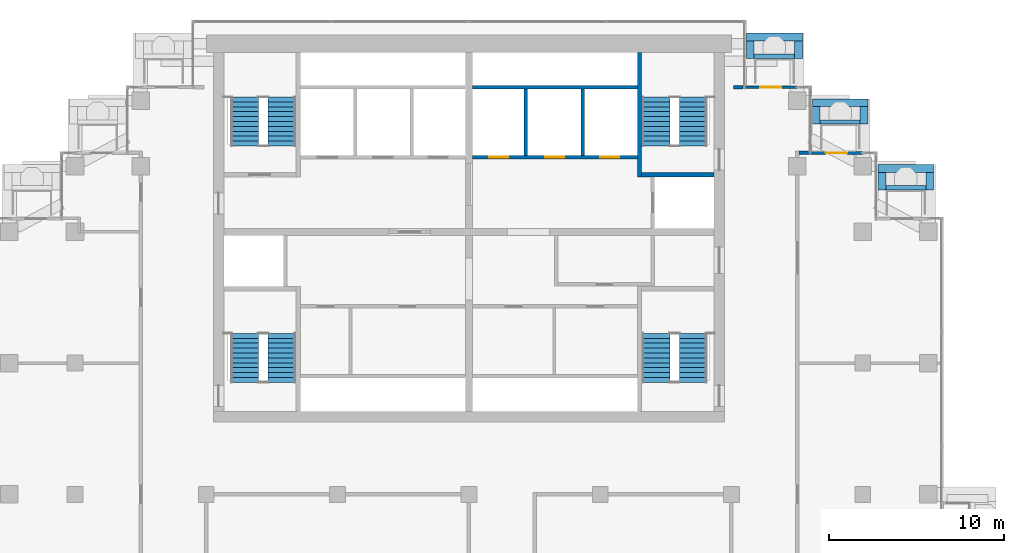
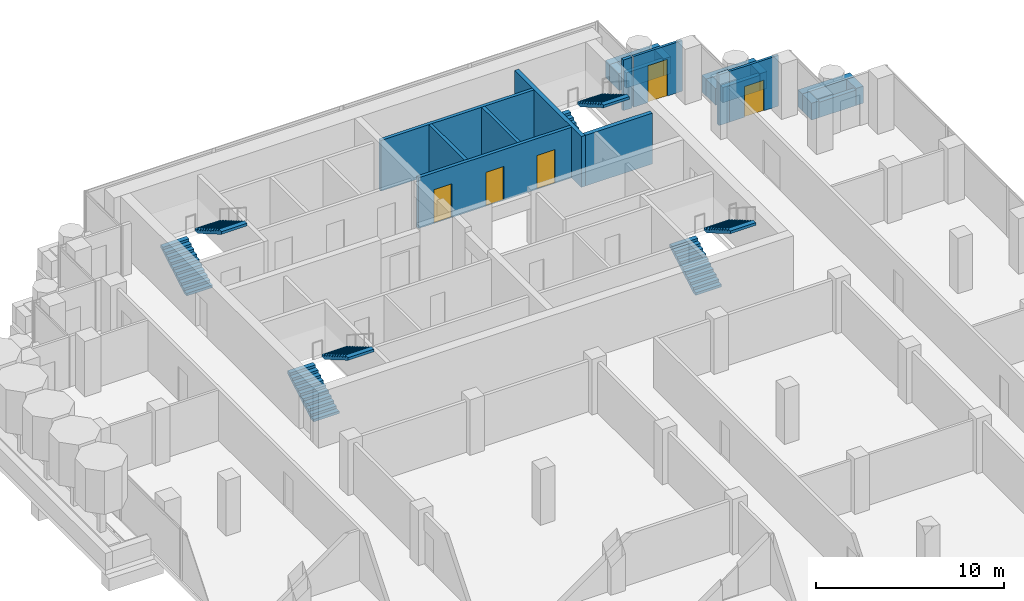
# One storey, part 14 of 17: 22 walls, 8 stair flights, 5 doors, 5 openings, 4 elements without a shape of their own.
"""IFC4 building model written with IfcOpenShell, lengths in metres."""

from ifc_helpers import new_model, si_unit, direction, frame, frame_2d, origin, place, context, subcontext, project, spatial, polyline, rectangle, outline, extrude, material, layer, layer_set, type_object, element, fill, aggregate, save


model = new_model("IFC4")

# Units and contexts
model_context = context("Model", 3, precision=1e-05, world=origin(), true_north=direction((0.0, 1.0)))
body_context = subcontext(model_context, "Body", "Model", "MODEL_VIEW")
ifc_project = project(units=[si_unit("LENGTHUNIT", "METRE"), si_unit("AREAUNIT", "SQUARE_METRE"), si_unit("VOLUMEUNIT", "CUBIC_METRE"), si_unit("PLANEANGLEUNIT", "RADIAN"), si_unit("MASSUNIT", "GRAM", prefix="KILO")], contexts=[model_context])

# Site, building, storey
site_placement = place(None, origin())
site = spatial("IfcSite", under=ifc_project, at=site_placement, CompositionType="ELEMENT")
building_placement = place(site_placement, origin())
building = spatial("IfcBuilding", under=site, at=building_placement, Name="Pilkhan Gate Tower", CompositionType="ELEMENT")
storey_placement = place(building_placement, frame((0.0, 0.0, 206.699951171875)))
storey = spatial("IfcBuildingStorey", under=building, at=storey_placement, Name="L53", CompositionType="ELEMENT", Elevation=206.699951171875)

# Walls
ifc_material_1 = material(Name="Concrete C40/50", Category="concrete")
ifc_layer_1 = layer(ifc_material_1, 0.25)
ifc_layer_set_1 = layer_set([ifc_layer_1], Name="Balcony planter BP250")
wall_type_1 = type_object("IfcWallType", Name="Balcony planter BP250", PredefinedType="USERDEFINED", material=ifc_layer_set_1)
wall_1_placement = place(storey_placement, frame((91.300048828125, 92.52490234375, 0.0), z_axis=(0.0, 0.0, 1.0), x_axis=(1.0, 0.0, 0.0)))
element("IfcWall", 1, at=wall_1_placement, inside=storey, type_object=wall_type_1, Name="Balcony planter L53 N", ObjectType="BALCONY PLANTER", PredefinedType="USERDEFINED", context=body_context, shape_type="SweptSolid", body=[
    extrude(rectangle(XDim=2.300048828125, YDim=0.25, at=frame_2d((1.14990234375, 0.0))), origin(), (0.0, 0.0, 1.0), 1.0),
])
for number, where, z_axis, x_axis, name in (
    (2, (95.070068359375, 88.77490234375, 0.0), (0.0, 0.0, 1.0), (1.0, 0.0, 0.0), "Balcony planter L53 N"),
    (3, (98.820068359375, 85.02490234375, 0.0), (0.0, 0.0, 1.0), (1.0, 0.0, 0.0), "Balcony planter L53 N"),
):
    element("IfcWall", number, at=place(storey_placement, frame(where, z_axis=z_axis, x_axis=x_axis)), inside=storey, type_object=wall_type_1, Name=name, ObjectType="BALCONY PLANTER", PredefinedType="USERDEFINED", context=body_context, shape_type="SweptSolid", body=[
        extrude(rectangle(XDim=2.280029296875, YDim=0.25, at=frame_2d((1.14013671875, 0.0))), origin(), (0.0, 0.0, 1.0), 1.0),
    ])
ifc_material_2 = material(Name="Board-marked Concrete C40/50", Category="concrete")
ifc_layer_2 = layer(ifc_material_2, 0.449951171875)
ifc_layer_set_2 = layer_set([ifc_layer_2], Name="Balcony planter lip BL450")
wall_type_2 = type_object("IfcWallType", Name="Balcony planter lip BL450", PredefinedType="USERDEFINED", material=ifc_layer_set_2)
wall_2_placement = place(storey_placement, frame((90.85009765625, 93.625, 0.0), z_axis=(0.0, 0.0, 1.0), x_axis=(1.0, 0.0, 0.0)))
element("IfcWall", 4, at=wall_2_placement, inside=storey, type_object=wall_type_2, Name="Balcony planter L53 N", ObjectType="BALCONY PLANTER", PredefinedType="USERDEFINED", context=body_context, shape_type="SweptSolid", body=[
    extrude(rectangle(XDim=3.199951171875, YDim=0.449951171875, at=frame_2d((1.60009765625, 0.0))), origin(), (0.0, 0.0, 1.0), 1.10009765625),
])
for number, where, z_axis, x_axis, name in (
    (5, (91.074951171875, 92.39990234375, 0.0), (0.0, 0.0, 1.0), (0.0, 1.0, 0.0), "Balcony planter L53 N"),
    (6, (93.824951171875, 92.39990234375, 0.0), (0.0, 0.0, 1.0), (0.0, 1.0, 0.0), "Balcony planter L53 N"),
):
    element("IfcWall", number, at=place(storey_placement, frame(where, z_axis=z_axis, x_axis=x_axis)), inside=storey, type_object=wall_type_2, Name=name, ObjectType="BALCONY PLANTER", PredefinedType="USERDEFINED", context=body_context, shape_type="SweptSolid", body=[
        extrude(rectangle(XDim=1.0, YDim=0.449951171875, at=frame_2d((0.5, 0.0))), origin(), (0.0, 0.0, 1.0), 1.10009765625),
    ])
wall_3_placement = place(storey_placement, frame((94.6201171875, 89.875, 0.0), z_axis=(0.0, 0.0, 1.0), x_axis=(1.0, 0.0, 0.0)))
element("IfcWall", 7, at=wall_3_placement, inside=storey, type_object=wall_type_2, Name="Balcony planter L53 N", ObjectType="BALCONY PLANTER", PredefinedType="USERDEFINED", context=body_context, shape_type="SweptSolid", body=[
    extrude(rectangle(XDim=3.179931640625, YDim=0.449951171875, at=frame_2d((1.58984375, 0.0))), origin(), (0.0, 0.0, 1.0), 1.10009765625),
])
for number, where, z_axis, x_axis, name in (
    (8, (94.844970703125, 88.64990234375, 0.0), (0.0, 0.0, 1.0), (0.0, 1.0, 0.0), "Balcony planter L53 N"),
    (9, (97.574951171875, 88.64990234375, 0.0), (0.0, 0.0, 1.0), (0.0, 1.0, 0.0), "Balcony planter L53 N"),
):
    element("IfcWall", number, at=place(storey_placement, frame(where, z_axis=z_axis, x_axis=x_axis)), inside=storey, type_object=wall_type_2, Name=name, ObjectType="BALCONY PLANTER", PredefinedType="USERDEFINED", context=body_context, shape_type="SweptSolid", body=[
        extrude(rectangle(XDim=1.0, YDim=0.449951171875, at=frame_2d((0.5, 0.0))), origin(), (0.0, 0.0, 1.0), 1.10009765625),
    ])
wall_4_placement = place(storey_placement, frame((98.3701171875, 86.125, 0.0), z_axis=(0.0, 0.0, 1.0), x_axis=(1.0, 0.0, 0.0)))
element("IfcWall", 10, at=wall_4_placement, inside=storey, type_object=wall_type_2, Name="Balcony planter L53 N", ObjectType="BALCONY PLANTER", PredefinedType="USERDEFINED", context=body_context, shape_type="SweptSolid", body=[
    extrude(rectangle(XDim=3.179931640625, YDim=0.449951171875, at=frame_2d((1.58984375, 0.0))), origin(), (0.0, 0.0, 1.0), 1.10009765625),
])
for number, where, z_axis, x_axis, name in (
    (11, (98.594970703125, 84.89990234375, 0.0), (0.0, 0.0, 1.0), (0.0, 1.0, 0.0), "Balcony planter L53 N"),
    (12, (101.324951171875, 84.89990234375, 0.0), (0.0, 0.0, 1.0), (0.0, 1.0, 0.0), "Balcony planter L53 N"),
):
    element("IfcWall", number, at=place(storey_placement, frame(where, z_axis=z_axis, x_axis=x_axis)), inside=storey, type_object=wall_type_2, Name=name, ObjectType="BALCONY PLANTER", PredefinedType="USERDEFINED", context=body_context, shape_type="SweptSolid", body=[
        extrude(rectangle(XDim=1.0, YDim=0.449951171875, at=frame_2d((0.5, 0.0))), origin(), (0.0, 0.0, 1.0), 1.10009765625),
    ])
ifc_material_3 = material(Name="Dense blockwork", Category="masonry")
ifc_layer_3 = layer(ifc_material_3, 0.199951171875)
ifc_layer_set_3 = layer_set([ifc_layer_3], Name="Corridor wall FW200")
wall_type_3 = type_object("IfcWallType", Name="Corridor wall FW200", PredefinedType="PARTITIONING", material=ifc_layer_set_3)
wall_5_placement = place(storey_placement, frame((93.85009765625, 87.030029296875, 0.0), z_axis=(0.0, 0.0, 1.0), x_axis=(1.0, 0.0, 0.0)))
element("IfcWall", 13, at=wall_5_placement, inside=storey, type_object=wall_type_3, Name="Partition L53", PredefinedType="PARTITIONING", context=body_context, shape_type="SweptSolid", body=[
    extrude(rectangle(XDim=0.639892578125, YDim=0.199951171875, at=frame_2d((0.31982421875, 0.0))), origin(), (0.0, 0.0, 1.0), 3.300048828125),
])
wall_6_placement = place(storey_placement, frame((90.1201171875, 90.764892578125, 0.0), z_axis=(0.0, 0.0, 1.0), x_axis=(1.0, 0.0, 0.0)))
element("IfcWall", 14, at=wall_6_placement, inside=storey, type_object=wall_type_3, Name="Partition L53", PredefinedType="PARTITIONING", context=body_context, shape_type="SweptSolid", body=[
    extrude(rectangle(XDim=0.52490234375, YDim=0.199951171875, at=frame_2d((0.262451171875, 0.0))), origin(), (0.0, 0.0, 1.0), 3.300048828125),
])

# Wall, opening, door
ifc_material_4 = material(Name="Pale anodised aluminium, clear laminated glazing", Category="aluminium")
ifc_layer_4 = layer(ifc_material_4, 0.14990234375)
ifc_layer_set_4 = layer_set([ifc_layer_4], Name="Facade infill wall IW150")
wall_type_4 = type_object("IfcWallType", Name="Facade infill wall IW150", PredefinedType="SOLIDWALL", material=ifc_layer_set_4)
wall_7_placement = place(storey_placement, frame((94.5, 87.0, 0.0), z_axis=(0.0, 0.0, 1.0), x_axis=(1.0, 0.0, 0.0)))
wall_7 = element("IfcWall", 15, at=wall_7_placement, inside=storey, type_object=wall_type_4, Name="Infill wall L53 N", PredefinedType="SOLIDWALL", context=body_context, shape_type="SweptSolid", body=[
    extrude(rectangle(XDim=3.0, YDim=0.14990234375, at=frame_2d((1.5, 0.0))), origin(), (0.0, 0.0, 1.0), 3.300048828125),
])
opening_1_placement = place(wall_7_placement, frame((0.89990234375, 0.0, 0.0)))
opening_1 = element("IfcOpeningElement", 16, at=opening_1_placement, cuts=wall_7, Name="Opening D1L", PredefinedType="OPENING", context=body_context, shape_type="SweptSolid", body=[
    extrude(rectangle(XDim=1.199951171875, YDim=2.0, at=frame_2d((0.60009765625, 1.0))), frame((0.0, 0.0849609375, 0.0), z_axis=(0.0, -1.0, 0.0), x_axis=(1.0, 0.0, 0.0)), (0.0, 0.0, 1.0), 0.169921875),
])
ifc_material_5 = material(Name="Pale anodised aluminium, clear glazing", Category="aluminium")
door_type_1 = type_object("IfcDoorType", Name="Balcony door D1L 1200x2000", OperationType="SINGLE_SWING_LEFT", PredefinedType="DOOR", material=ifc_material_5)
door_1_placement = place(opening_1_placement, origin())
door_1 = element("IfcDoor", 17, at=door_1_placement, inside=storey, type_object=door_type_1, Name="Balcony door L53", OperationType="SINGLE_SWING_LEFT", OverallHeight=2.0, OverallWidth=1.199951171875, PredefinedType="DOOR", context=body_context, shape_type="SweptSolid", body=[
    extrude(rectangle(XDim=1.199951171875, YDim=2.0, at=frame_2d((0.60009765625, 1.0))), frame((0.0, 0.02490234375, 0.0), z_axis=(0.0, -1.0, 0.0), x_axis=(1.0, 0.0, 0.0)), (0.0, 0.0, 1.0), 0.050048828125),
])
fill(opening_1, door_1)

wall_8_placement = place(storey_placement, frame((90.75, 90.75, 0.0), z_axis=(0.0, 0.0, 1.0), x_axis=(1.0, 0.0, 0.0)))
wall_8 = element("IfcWall", 18, at=wall_8_placement, inside=storey, type_object=wall_type_4, Name="Infill wall L53 N", PredefinedType="SOLIDWALL", context=body_context, shape_type="SweptSolid", body=[
    extrude(rectangle(XDim=3.0, YDim=0.14990234375, at=frame_2d((1.5, 0.0))), origin(), (0.0, 0.0, 1.0), 3.300048828125),
])
opening_2_placement = place(wall_8_placement, frame((0.89990234375, 0.0, 0.0)))
opening_2 = element("IfcOpeningElement", 19, at=opening_2_placement, cuts=wall_8, Name="Opening D1", PredefinedType="OPENING", context=body_context, shape_type="SweptSolid", body=[
    extrude(rectangle(XDim=1.199951171875, YDim=2.39990234375, at=frame_2d((0.60009765625, 1.199951171875))), frame((0.0, 0.0849609375, 0.0), z_axis=(0.0, -1.0, 0.0), x_axis=(1.0, 0.0, 0.0)), (0.0, 0.0, 1.0), 0.169921875),
])
door_type_2 = type_object("IfcDoorType", Name="Balcony door D1 1200x2400", OperationType="SINGLE_SWING_LEFT", PredefinedType="DOOR", material=ifc_material_5)
door_2_placement = place(opening_2_placement, origin())
door_2 = element("IfcDoor", 20, at=door_2_placement, inside=storey, type_object=door_type_2, Name="Balcony door L53", OperationType="SINGLE_SWING_LEFT", OverallHeight=2.39990234375, OverallWidth=1.199951171875, PredefinedType="DOOR", context=body_context, shape_type="SweptSolid", body=[
    extrude(rectangle(XDim=1.199951171875, YDim=2.39990234375, at=frame_2d((0.60009765625, 1.199951171875))), frame((0.0, 0.02490234375, 0.0), z_axis=(0.0, -1.0, 0.0), x_axis=(1.0, 0.0, 0.0)), (0.0, 0.0, 1.0), 0.050048828125),
])
fill(opening_2, door_2)

# Wall, openings, doors
ifc_material_6 = material(Name="Reinforced blockwork shaft wall, 120 minute fire resisting", Category="masonry")
ifc_layer_5 = layer(ifc_material_6, 0.199951171875)
ifc_layer_set_5 = layer_set([ifc_layer_5], Name="Shaft wall SW200")
wall_type_5 = type_object("IfcWallType", Name="Shaft wall SW200", PredefinedType="PARTITIONING", material=ifc_layer_set_5)
wall_9_placement = place(storey_placement, frame((75.2099609375, 86.75, 0.0), z_axis=(0.0, 0.0, 1.0), x_axis=(1.0, 0.0, 0.0)))
wall_9 = element("IfcWall", 21, at=wall_9_placement, inside=storey, type_object=wall_type_5, Name="Partition L53", PredefinedType="PARTITIONING", context=body_context, shape_type="SweptSolid", body=[
    extrude(rectangle(XDim=9.4150390625, YDim=0.199951171875, at=frame_2d((4.70751953125, 0.0))), origin(), (0.0, 0.0, 1.0), 3.300048828125),
])
opening_3_placement = place(wall_9_placement, frame((0.949951171875, 0.0, 0.0)))
opening_3 = element("IfcOpeningElement", 22, at=opening_3_placement, cuts=wall_9, Name="Opening LD", PredefinedType="OPENING", context=body_context, shape_type="SweptSolid", body=[
    extrude(rectangle(XDim=1.10009765625, YDim=2.199951171875, at=frame_2d((0.550048828125, 1.10009765625))), frame((0.0, 0.10986328125, 0.0), z_axis=(0.0, -1.0, 0.0), x_axis=(1.0, 0.0, 0.0)), (0.0, 0.0, 1.0), 0.219970703125),
])
opening_4_placement = place(wall_9_placement, frame((4.139892578125, 0.0, 0.0)))
opening_4 = element("IfcOpeningElement", 23, at=opening_4_placement, cuts=wall_9, Name="Opening LD", PredefinedType="OPENING", context=body_context, shape_type="SweptSolid", body=[
    extrude(rectangle(XDim=1.10009765625, YDim=2.199951171875, at=frame_2d((0.550048828125, 1.10009765625))), frame((0.0, 0.10986328125, 0.0), z_axis=(0.0, -1.0, 0.0), x_axis=(1.0, 0.0, 0.0)), (0.0, 0.0, 1.0), 0.219970703125),
])
opening_5_placement = place(wall_9_placement, frame((7.2900390625, 0.0, 0.0)))
opening_5 = element("IfcOpeningElement", 24, at=opening_5_placement, cuts=wall_9, Name="Opening LD", PredefinedType="OPENING", context=body_context, shape_type="SweptSolid", body=[
    extrude(rectangle(XDim=1.10009765625, YDim=2.199951171875, at=frame_2d((0.550048828125, 1.10009765625))), frame((0.0, 0.10986328125, 0.0), z_axis=(0.0, -1.0, 0.0), x_axis=(1.0, 0.0, 0.0)), (0.0, 0.0, 1.0), 0.219970703125),
])
ifc_material_7 = material(Name="Stainless steel centre-opening landing door, 120 minute fire resisting", Category="steel")
door_type_3 = type_object("IfcDoorType", Name="Lift landing door LD 1100x2200", OperationType="DOUBLE_DOOR_SLIDING", PredefinedType="DOOR", material=ifc_material_7)
door_3_placement = place(opening_3_placement, origin())
door_3 = element("IfcDoor", 25, at=door_3_placement, inside=storey, type_object=door_type_3, Name="Landing door HR1", OperationType="DOUBLE_DOOR_SLIDING", OverallHeight=2.199951171875, OverallWidth=1.10009765625, PredefinedType="DOOR", context=body_context, shape_type="SweptSolid", body=[
    extrude(rectangle(XDim=1.10009765625, YDim=2.199951171875, at=frame_2d((0.550048828125, 1.10009765625))), frame((0.0, 0.02490234375, 0.0), z_axis=(0.0, -1.0, 0.0), x_axis=(1.0, 0.0, 0.0)), (0.0, 0.0, 1.0), 0.050048828125),
])
fill(opening_3, door_3)
door_4_placement = place(opening_4_placement, origin())
door_4 = element("IfcDoor", 26, at=door_4_placement, inside=storey, type_object=door_type_3, Name="Landing door HR2", OperationType="DOUBLE_DOOR_SLIDING", OverallHeight=2.199951171875, OverallWidth=1.10009765625, PredefinedType="DOOR", context=body_context, shape_type="SweptSolid", body=[
    extrude(rectangle(XDim=1.10009765625, YDim=2.199951171875, at=frame_2d((0.550048828125, 1.10009765625))), frame((0.0, 0.02490234375, 0.0), z_axis=(0.0, -1.0, 0.0), x_axis=(1.0, 0.0, 0.0)), (0.0, 0.0, 1.0), 0.050048828125),
])
fill(opening_4, door_4)
door_5_placement = place(opening_5_placement, origin())
door_5 = element("IfcDoor", 27, at=door_5_placement, inside=storey, type_object=door_type_3, Name="Landing door HR3", OperationType="DOUBLE_DOOR_SLIDING", OverallHeight=2.199951171875, OverallWidth=1.10009765625, PredefinedType="DOOR", context=body_context, shape_type="SweptSolid", body=[
    extrude(rectangle(XDim=1.10009765625, YDim=2.199951171875, at=frame_2d((0.550048828125, 1.10009765625))), frame((0.0, 0.02490234375, 0.0), z_axis=(0.0, -1.0, 0.0), x_axis=(1.0, 0.0, 0.0)), (0.0, 0.0, 1.0), 0.050048828125),
])
fill(opening_5, door_5)

# Walls
wall_10_placement = place(storey_placement, frame((75.2099609375, 90.75, 0.0), z_axis=(0.0, 0.0, 1.0), x_axis=(1.0, 0.0, 0.0)))
element("IfcWall", 28, at=wall_10_placement, inside=storey, type_object=wall_type_5, Name="Partition L53", PredefinedType="PARTITIONING", context=body_context, shape_type="SweptSolid", body=[
    extrude(rectangle(XDim=9.4150390625, YDim=0.199951171875, at=frame_2d((4.70751953125, 0.0))), origin(), (0.0, 0.0, 1.0), 3.300048828125),
])
for number, where, z_axis, x_axis, name in (
    (29, (78.25, 86.85009765625, 0.0), (0.0, 0.0, 1.0), (0.0, 1.0, 0.0), "Partition L53"),
    (30, (81.5, 86.85009765625, 0.0), (0.0, 0.0, 1.0), (0.0, 1.0, 0.0), "Partition L53"),
):
    element("IfcWall", number, at=place(storey_placement, frame(where, z_axis=z_axis, x_axis=x_axis)), inside=storey, type_object=wall_type_5, Name=name, PredefinedType="PARTITIONING", context=body_context, shape_type="SweptSolid", body=[
        extrude(rectangle(XDim=3.7998046875, YDim=0.199951171875, at=frame_2d((1.89990234375, 0.0))), origin(), (0.0, 0.0, 1.0), 3.300048828125),
    ])
ifc_material_8 = material(Name="Reinforced blockwork, 120 minute fire resisting", Category="masonry")
ifc_layer_6 = layer(ifc_material_8, 0.25)
ifc_layer_set_6 = layer_set([ifc_layer_6], Name="Stair enclosure wall SE250")
wall_type_6 = type_object("IfcWallType", Name="Stair enclosure wall SE250", PredefinedType="PARTITIONING", material=ifc_layer_set_6)
wall_11_placement = place(storey_placement, frame((84.875, 85.75, 0.0), z_axis=(0.0, 0.0, 1.0), x_axis=(1.0, 0.0, 0.0)))
element("IfcWall", 31, at=wall_11_placement, inside=storey, type_object=wall_type_6, Name="Partition L53", PredefinedType="PARTITIONING", context=body_context, shape_type="SweptSolid", body=[
    extrude(rectangle(XDim=4.114990234375, YDim=0.25, at=frame_2d((2.0576171875, 0.0))), origin(), (0.0, 0.0, 1.0), 3.300048828125),
])
wall_12_placement = place(storey_placement, frame((84.75, 85.625, 0.0), z_axis=(0.0, 0.0, 1.0), x_axis=(0.0, 1.0, 0.0)))
element("IfcWall", 32, at=wall_12_placement, inside=storey, type_object=wall_type_6, Name="Partition L53", PredefinedType="PARTITIONING", context=body_context, shape_type="SweptSolid", body=[
    extrude(rectangle(XDim=7.114990234375, YDim=0.25, at=frame_2d((3.5576171875, 0.0))), origin(), (0.0, 0.0, 1.0), 3.300048828125),
])

# Stair, stair flights
ifc_material_9 = material(Name="Concrete C40/50 precast", Category="concrete")
stair_type_1 = type_object("IfcStairType", Name="Stair ST1 164x280", PredefinedType="HALF_TURN_STAIR", material=ifc_material_9)
stair_1_placement = place(storey_placement, origin())
stair_1 = element("IfcStair", 33, at=stair_1_placement, inside=storey, type_object=stair_type_1, Name="Stair ST1 L53", PredefinedType="HALF_TURN_STAIR")
stair_flight_type_1 = type_object("IfcStairFlightType", Name="Stair flight ST1 164x280x11", PredefinedType="STRAIGHT", material=ifc_material_9)
stair_flight_1_placement = place(storey_placement, frame((85.68994140625, 73.89990234375, 0.0), z_axis=(0.0, 0.0, 1.0), x_axis=(0.0, 1.0, 0.0)))
stair_flight_1 = element("IfcStairFlight", 34, at=stair_flight_1_placement, type_object=stair_flight_type_1, Name="ST1 flight 1", NumberOfRisers=11, NumberOfTreads=10, PredefinedType="STRAIGHT", RiserHeight=0.163636364, TreadLength=0.28, context=body_context, shape_type="SweptSolid", body=[
    extrude(outline(polyline([(0.0, 0.0), (0.0, 0.16357421875), (0.280029296875, 0.16357421875), (0.280029296875, 0.327392578125), (0.56005859375, 0.327392578125), (0.56005859375, 0.490966796875), (0.840087890625, 0.490966796875), (0.840087890625, 0.654541015625), (1.1201171875, 0.654541015625), (1.1201171875, 0.818115234375), (1.39990234375, 0.818115234375), (1.39990234375, 0.98193359375), (1.679931640625, 0.98193359375), (1.679931640625, 1.1455078125), (1.9599609375, 1.1455078125), (1.9599609375, 1.30908203125), (2.239990234375, 1.30908203125), (2.239990234375, 1.47265625), (2.52001953125, 1.47265625), (2.52001953125, 1.636474609375), (2.800048828125, 1.636474609375), (2.800048828125, 1.800048828125), (2.800048828125, 1.462646484375), (0.297119140625, 0.0), (0.0, 0.0)])), frame((0.0, 0.7900390625, 0.0), z_axis=(0.0, -1.0, 0.0), x_axis=(1.0, 0.0, 0.0)), (0.0, 0.0, 1.0), 1.580078125),
])
stair_flight_2_placement = place(storey_placement, frame((87.81005859375, 76.699951171875, 1.800048828125), z_axis=(0.0, 0.0, 1.0), x_axis=(0.0, -1.0, 0.0)))
stair_flight_2 = element("IfcStairFlight", 35, at=stair_flight_2_placement, type_object=stair_flight_type_1, Name="ST1 flight 2", NumberOfRisers=11, NumberOfTreads=10, PredefinedType="STRAIGHT", RiserHeight=0.163636364, TreadLength=0.28, context=body_context, shape_type="SweptSolid", body=[
    extrude(outline(polyline([(0.0, 0.0), (0.0, 0.16357421875), (0.280029296875, 0.16357421875), (0.280029296875, 0.327392578125), (0.56005859375, 0.327392578125), (0.56005859375, 0.490966796875), (0.840087890625, 0.490966796875), (0.840087890625, 0.654541015625), (1.1201171875, 0.654541015625), (1.1201171875, 0.818115234375), (1.39990234375, 0.818115234375), (1.39990234375, 0.98193359375), (1.679931640625, 0.98193359375), (1.679931640625, 1.1455078125), (1.9599609375, 1.1455078125), (1.9599609375, 1.30908203125), (2.239990234375, 1.30908203125), (2.239990234375, 1.47265625), (2.52001953125, 1.47265625), (2.52001953125, 1.636474609375), (2.800048828125, 1.636474609375), (2.800048828125, 1.800048828125), (2.800048828125, 1.462646484375), (0.297119140625, 0.0), (0.0, 0.0)])), frame((0.0, 0.7900390625, 0.0), z_axis=(0.0, -1.0, 0.0), x_axis=(1.0, 0.0, 0.0)), (0.0, 0.0, 1.0), 1.580078125),
])
aggregate(stair_1, [stair_flight_1, stair_flight_2])

stair_type_2 = type_object("IfcStairType", Name="Stair ST2 164x280", PredefinedType="HALF_TURN_STAIR", material=ifc_material_9)
stair_2_placement = place(storey_placement, origin())
stair_2 = element("IfcStair", 36, at=stair_2_placement, inside=storey, type_object=stair_type_2, Name="Stair ST2 L53", PredefinedType="HALF_TURN_STAIR")
stair_flight_type_2 = type_object("IfcStairFlightType", Name="Stair flight ST2 164x280x11", PredefinedType="STRAIGHT", material=ifc_material_9)
stair_flight_3_placement = place(storey_placement, frame((62.18994140625, 73.89990234375, 0.0), z_axis=(0.0, 0.0, 1.0), x_axis=(0.0, 1.0, 0.0)))
stair_flight_3 = element("IfcStairFlight", 37, at=stair_flight_3_placement, type_object=stair_flight_type_2, Name="ST2 flight 1", NumberOfRisers=11, NumberOfTreads=10, PredefinedType="STRAIGHT", RiserHeight=0.163636364, TreadLength=0.28, context=body_context, shape_type="SweptSolid", body=[
    extrude(outline(polyline([(0.0, 0.0), (0.0, 0.16357421875), (0.280029296875, 0.16357421875), (0.280029296875, 0.327392578125), (0.56005859375, 0.327392578125), (0.56005859375, 0.490966796875), (0.840087890625, 0.490966796875), (0.840087890625, 0.654541015625), (1.1201171875, 0.654541015625), (1.1201171875, 0.818115234375), (1.39990234375, 0.818115234375), (1.39990234375, 0.98193359375), (1.679931640625, 0.98193359375), (1.679931640625, 1.1455078125), (1.9599609375, 1.1455078125), (1.9599609375, 1.30908203125), (2.239990234375, 1.30908203125), (2.239990234375, 1.47265625), (2.52001953125, 1.47265625), (2.52001953125, 1.636474609375), (2.800048828125, 1.636474609375), (2.800048828125, 1.800048828125), (2.800048828125, 1.462646484375), (0.297119140625, 0.0), (0.0, 0.0)])), frame((0.0, 0.7900390625, 0.0), z_axis=(0.0, -1.0, 0.0), x_axis=(1.0, 0.0, 0.0)), (0.0, 0.0, 1.0), 1.580078125),
])
stair_flight_4_placement = place(storey_placement, frame((64.31005859375, 76.699951171875, 1.800048828125), z_axis=(0.0, 0.0, 1.0), x_axis=(0.0, -1.0, 0.0)))
stair_flight_4 = element("IfcStairFlight", 38, at=stair_flight_4_placement, type_object=stair_flight_type_2, Name="ST2 flight 2", NumberOfRisers=11, NumberOfTreads=10, PredefinedType="STRAIGHT", RiserHeight=0.163636364, TreadLength=0.28, context=body_context, shape_type="SweptSolid", body=[
    extrude(outline(polyline([(0.0, 0.0), (0.0, 0.16357421875), (0.280029296875, 0.16357421875), (0.280029296875, 0.327392578125), (0.56005859375, 0.327392578125), (0.56005859375, 0.490966796875), (0.840087890625, 0.490966796875), (0.840087890625, 0.654541015625), (1.1201171875, 0.654541015625), (1.1201171875, 0.818115234375), (1.39990234375, 0.818115234375), (1.39990234375, 0.98193359375), (1.679931640625, 0.98193359375), (1.679931640625, 1.1455078125), (1.9599609375, 1.1455078125), (1.9599609375, 1.30908203125), (2.239990234375, 1.30908203125), (2.239990234375, 1.47265625), (2.52001953125, 1.47265625), (2.52001953125, 1.636474609375), (2.800048828125, 1.636474609375), (2.800048828125, 1.800048828125), (2.800048828125, 1.462646484375), (0.297119140625, 0.0), (0.0, 0.0)])), frame((0.0, 0.7900390625, 0.0), z_axis=(0.0, -1.0, 0.0), x_axis=(1.0, 0.0, 0.0)), (0.0, 0.0, 1.0), 1.580078125),
])
aggregate(stair_2, [stair_flight_3, stair_flight_4])

stair_type_3 = type_object("IfcStairType", Name="Stair ST3 164x280", PredefinedType="HALF_TURN_STAIR", material=ifc_material_9)
stair_3_placement = place(storey_placement, origin())
stair_3 = element("IfcStair", 39, at=stair_3_placement, inside=storey, type_object=stair_type_3, Name="Stair ST3 L53", PredefinedType="HALF_TURN_STAIR")
stair_flight_type_3 = type_object("IfcStairFlightType", Name="Stair flight ST3 164x280x11", PredefinedType="STRAIGHT", material=ifc_material_9)
stair_flight_5_placement = place(storey_placement, frame((62.18994140625, 87.39990234375, 0.0), z_axis=(0.0, 0.0, 1.0), x_axis=(0.0, 1.0, 0.0)))
stair_flight_5 = element("IfcStairFlight", 40, at=stair_flight_5_placement, type_object=stair_flight_type_3, Name="ST3 flight 1", NumberOfRisers=11, NumberOfTreads=10, PredefinedType="STRAIGHT", RiserHeight=0.163636364, TreadLength=0.28, context=body_context, shape_type="SweptSolid", body=[
    extrude(outline(polyline([(0.0, 0.0), (0.0, 0.16357421875), (0.280029296875, 0.16357421875), (0.280029296875, 0.327392578125), (0.56005859375, 0.327392578125), (0.56005859375, 0.490966796875), (0.840087890625, 0.490966796875), (0.840087890625, 0.654541015625), (1.1201171875, 0.654541015625), (1.1201171875, 0.818115234375), (1.39990234375, 0.818115234375), (1.39990234375, 0.98193359375), (1.679931640625, 0.98193359375), (1.679931640625, 1.1455078125), (1.9599609375, 1.1455078125), (1.9599609375, 1.30908203125), (2.239990234375, 1.30908203125), (2.239990234375, 1.47265625), (2.52001953125, 1.47265625), (2.52001953125, 1.636474609375), (2.800048828125, 1.636474609375), (2.800048828125, 1.800048828125), (2.800048828125, 1.462646484375), (0.297119140625, 0.0), (0.0, 0.0)])), frame((0.0, 0.7900390625, 0.0), z_axis=(0.0, -1.0, 0.0), x_axis=(1.0, 0.0, 0.0)), (0.0, 0.0, 1.0), 1.580078125),
])
stair_flight_6_placement = place(storey_placement, frame((64.31005859375, 90.199951171875, 1.800048828125), z_axis=(0.0, 0.0, 1.0), x_axis=(0.0, -1.0, 0.0)))
stair_flight_6 = element("IfcStairFlight", 41, at=stair_flight_6_placement, type_object=stair_flight_type_3, Name="ST3 flight 2", NumberOfRisers=11, NumberOfTreads=10, PredefinedType="STRAIGHT", RiserHeight=0.163636364, TreadLength=0.28, context=body_context, shape_type="SweptSolid", body=[
    extrude(outline(polyline([(0.0, 0.0), (0.0, 0.16357421875), (0.280029296875, 0.16357421875), (0.280029296875, 0.327392578125), (0.56005859375, 0.327392578125), (0.56005859375, 0.490966796875), (0.840087890625, 0.490966796875), (0.840087890625, 0.654541015625), (1.1201171875, 0.654541015625), (1.1201171875, 0.818115234375), (1.39990234375, 0.818115234375), (1.39990234375, 0.98193359375), (1.679931640625, 0.98193359375), (1.679931640625, 1.1455078125), (1.9599609375, 1.1455078125), (1.9599609375, 1.30908203125), (2.239990234375, 1.30908203125), (2.239990234375, 1.47265625), (2.52001953125, 1.47265625), (2.52001953125, 1.636474609375), (2.800048828125, 1.636474609375), (2.800048828125, 1.800048828125), (2.800048828125, 1.462646484375), (0.297119140625, 0.0), (0.0, 0.0)])), frame((0.0, 0.7900390625, 0.0), z_axis=(0.0, -1.0, 0.0), x_axis=(1.0, 0.0, 0.0)), (0.0, 0.0, 1.0), 1.580078125),
])
aggregate(stair_3, [stair_flight_5, stair_flight_6])

stair_type_4 = type_object("IfcStairType", Name="Stair ST4 164x280", PredefinedType="HALF_TURN_STAIR", material=ifc_material_9)
stair_4_placement = place(storey_placement, origin())
stair_4 = element("IfcStair", 42, at=stair_4_placement, inside=storey, type_object=stair_type_4, Name="Stair ST4 L53", PredefinedType="HALF_TURN_STAIR")
stair_flight_type_4 = type_object("IfcStairFlightType", Name="Stair flight ST4 164x280x11", PredefinedType="STRAIGHT", material=ifc_material_9)
stair_flight_7_placement = place(storey_placement, frame((85.68994140625, 87.39990234375, 0.0), z_axis=(0.0, 0.0, 1.0), x_axis=(0.0, 1.0, 0.0)))
stair_flight_7 = element("IfcStairFlight", 43, at=stair_flight_7_placement, type_object=stair_flight_type_4, Name="ST4 flight 1", NumberOfRisers=11, NumberOfTreads=10, PredefinedType="STRAIGHT", RiserHeight=0.163636364, TreadLength=0.28, context=body_context, shape_type="SweptSolid", body=[
    extrude(outline(polyline([(0.0, 0.0), (0.0, 0.16357421875), (0.280029296875, 0.16357421875), (0.280029296875, 0.327392578125), (0.56005859375, 0.327392578125), (0.56005859375, 0.490966796875), (0.840087890625, 0.490966796875), (0.840087890625, 0.654541015625), (1.1201171875, 0.654541015625), (1.1201171875, 0.818115234375), (1.39990234375, 0.818115234375), (1.39990234375, 0.98193359375), (1.679931640625, 0.98193359375), (1.679931640625, 1.1455078125), (1.9599609375, 1.1455078125), (1.9599609375, 1.30908203125), (2.239990234375, 1.30908203125), (2.239990234375, 1.47265625), (2.52001953125, 1.47265625), (2.52001953125, 1.636474609375), (2.800048828125, 1.636474609375), (2.800048828125, 1.800048828125), (2.800048828125, 1.462646484375), (0.297119140625, 0.0), (0.0, 0.0)])), frame((0.0, 0.7900390625, 0.0), z_axis=(0.0, -1.0, 0.0), x_axis=(1.0, 0.0, 0.0)), (0.0, 0.0, 1.0), 1.580078125),
])
stair_flight_8_placement = place(storey_placement, frame((87.81005859375, 90.199951171875, 1.800048828125), z_axis=(0.0, 0.0, 1.0), x_axis=(0.0, -1.0, 0.0)))
stair_flight_8 = element("IfcStairFlight", 44, at=stair_flight_8_placement, type_object=stair_flight_type_4, Name="ST4 flight 2", NumberOfRisers=11, NumberOfTreads=10, PredefinedType="STRAIGHT", RiserHeight=0.163636364, TreadLength=0.28, context=body_context, shape_type="SweptSolid", body=[
    extrude(outline(polyline([(0.0, 0.0), (0.0, 0.16357421875), (0.280029296875, 0.16357421875), (0.280029296875, 0.327392578125), (0.56005859375, 0.327392578125), (0.56005859375, 0.490966796875), (0.840087890625, 0.490966796875), (0.840087890625, 0.654541015625), (1.1201171875, 0.654541015625), (1.1201171875, 0.818115234375), (1.39990234375, 0.818115234375), (1.39990234375, 0.98193359375), (1.679931640625, 0.98193359375), (1.679931640625, 1.1455078125), (1.9599609375, 1.1455078125), (1.9599609375, 1.30908203125), (2.239990234375, 1.30908203125), (2.239990234375, 1.47265625), (2.52001953125, 1.47265625), (2.52001953125, 1.636474609375), (2.800048828125, 1.636474609375), (2.800048828125, 1.800048828125), (2.800048828125, 1.462646484375), (0.297119140625, 0.0), (0.0, 0.0)])), frame((0.0, 0.7900390625, 0.0), z_axis=(0.0, -1.0, 0.0), x_axis=(1.0, 0.0, 0.0)), (0.0, 0.0, 1.0), 1.580078125),
])
aggregate(stair_4, [stair_flight_7, stair_flight_8])

save(model, "model.ifc")
